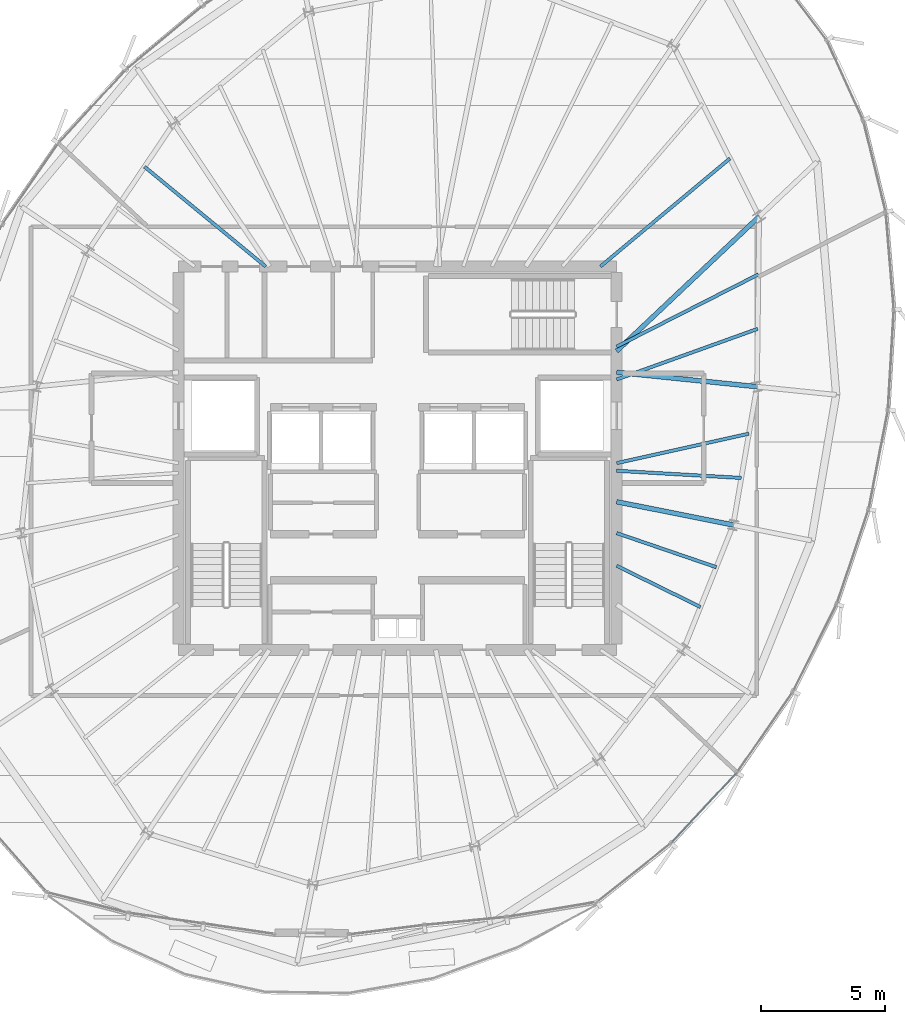
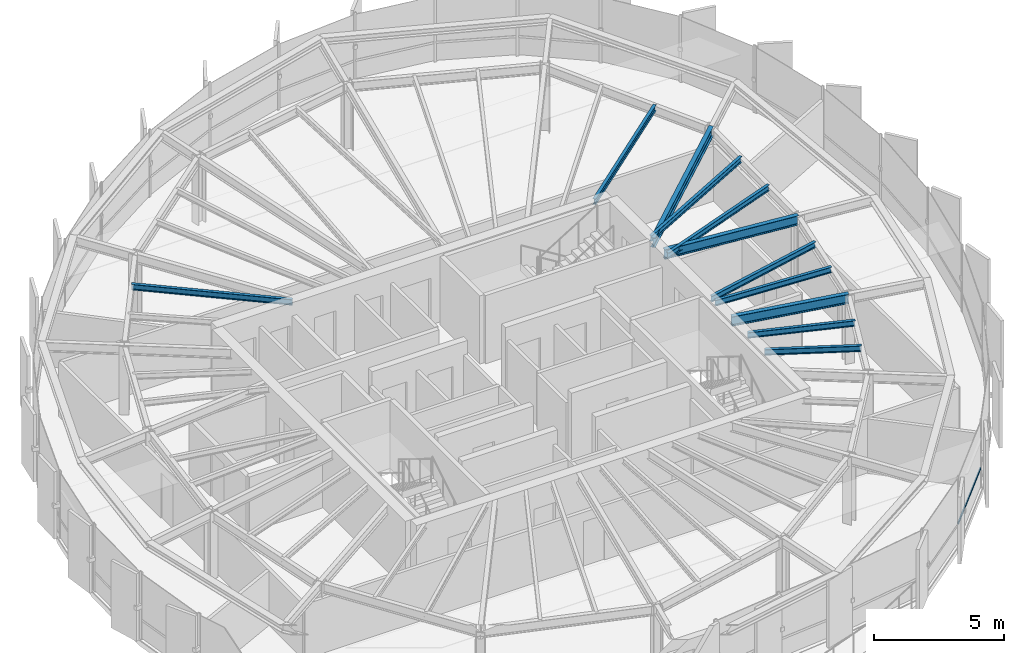
# One storey, part 13 of 32: 11 beams, 1 member, 1 element without a shape of its own.
"""IFC4 building model written with IfcOpenShell, lengths in metres."""

from ifc_helpers import new_model, si_unit, direction, frame, origin, origin_2d, place, context, subcontext, project, spatial, hollow_rectangle, i_section, extrude, source, transform, mapped, material, layer, layer_set, material_profile, profile_set, type_object, element, aggregate, save


model = new_model("IFC4")

# Units and contexts
model_context = context("Model", 3, precision=1e-05, world=origin(), true_north=direction((0.0, 1.0)))
body_context = subcontext(model_context, "Body", "Model", "MODEL_VIEW")
ifc_project = project(units=[si_unit("LENGTHUNIT", "METRE"), si_unit("AREAUNIT", "SQUARE_METRE"), si_unit("VOLUMEUNIT", "CUBIC_METRE"), si_unit("PLANEANGLEUNIT", "RADIAN"), si_unit("MASSUNIT", "GRAM", prefix="KILO"), si_unit("THERMODYNAMICTEMPERATUREUNIT", "KELVIN")], contexts=[model_context])

# Site, building, storey
site_placement = place(None, origin())
site = spatial("IfcSite", under=ifc_project, at=site_placement, CompositionType="ELEMENT")
building_placement = place(site_placement, origin())
building = spatial("IfcBuilding", under=site, at=building_placement, Name="Kethvar Cultural Tower", CompositionType="ELEMENT")
storey_placement = place(building_placement, frame((0.0, 0.0, 273.25)))
storey = spatial("IfcBuildingStorey", under=building, at=storey_placement, Name="L72", CompositionType="ELEMENT", Elevation=273.25)

# Beams
ifc_material_1 = material(Name="Steel S355J2", Category="steel")
ifc_material_profile_1 = material_profile(ifc_material_1, i_section(OverallWidth=0.18994140625, OverallDepth=0.449951171875, WebThickness=0.009521484375, FlangeThickness=0.0146484375, FilletRadius=0.02099609375, at=origin_2d()), Name="Steel S355J2 — IPE450")
ifc_profile_set_1 = profile_set([ifc_material_profile_1], Name="Steel S355J2 — IPE450")
beam_type_1 = type_object("IfcBeamType", Name="BM-IPE450", PredefinedType="BEAM", material=ifc_profile_set_1)
shared_shape_1 = source(origin(), body_context, "Body", "SweptSolid", [
    extrude(i_section(OverallWidth=0.18994140625, OverallDepth=0.449951171875, WebThickness=0.009521484375, FlangeThickness=0.0146484375, FilletRadius=0.02099609375, at=origin_2d()), origin(), (0.0, 0.0, 1.0), 5.66650390625),
])
beam_1_placement = place(storey_placement, frame((55.60009765625, 31.25, 2.98291015625), z_axis=(0.994777513459, -0.102067128476, 0.0), x_axis=(0.102067128476, 0.994777513459, 0.0)))
element("IfcBeam", 1, at=beam_1_placement, inside=storey, type_object=beam_type_1, Name="L72 Primary Radial Beam RB-01", PredefinedType="BEAM", context=body_context, shape_type="MappedRepresentation", body=[
    mapped(shared_shape_1, transform((0.0, 0.0, 0.0), scale=1.0)),
])
shared_shape_2 = source(origin(), body_context, "Body", "SweptSolid", [
    extrude(i_section(OverallWidth=0.18994140625, OverallDepth=0.449951171875, WebThickness=0.009521484375, FlangeThickness=0.0146484375, FilletRadius=0.02099609375, at=origin_2d()), origin(), (0.0, 0.0, 1.0), 7.874267578125),
])
beam_2_placement = place(storey_placement, frame((55.60009765625, 32.10009765625, 2.98291015625), z_axis=(0.727123202456, 0.686506990823, 0.0), x_axis=(-0.686506990823, 0.727123202456, 0.0)))
element("IfcBeam", 2, at=beam_2_placement, inside=storey, type_object=beam_type_1, Name="L72 Primary Radial Beam RB-02", PredefinedType="BEAM", context=body_context, shape_type="MappedRepresentation", body=[
    mapped(shared_shape_2, transform((0.0, 0.0, 0.0), scale=1.0)),
])
shared_shape_3 = source(origin(), body_context, "Body", "SweptSolid", [
    extrude(i_section(OverallWidth=0.18994140625, OverallDepth=0.449951171875, WebThickness=0.009521484375, FlangeThickness=0.0146484375, FilletRadius=0.02099609375, at=origin_2d()), origin(), (0.0, 0.0, 1.0), 4.775390625),
])
beam_3_placement = place(storey_placement, frame((55.60009765625, 26.049560546875, 2.98291015625), z_axis=(0.980784643133, -0.195093525761, 0.0), x_axis=(0.195093525761, 0.980784643133, 0.0)))
element("IfcBeam", 3, at=beam_3_placement, inside=storey, type_object=beam_type_1, Name="L72 Primary Radial Beam RB-16", PredefinedType="BEAM", context=body_context, shape_type="MappedRepresentation", body=[
    mapped(shared_shape_3, transform((0.0, 0.0, 0.0), scale=1.0)),
])
ifc_material_profile_2 = material_profile(ifc_material_1, i_section(OverallWidth=0.135009765625, OverallDepth=0.27001953125, WebThickness=0.006591796875, FlangeThickness=0.01025390625, FilletRadius=0.014892578125, at=origin_2d()), Name="Steel S355J2 — IPE270")
ifc_profile_set_2 = profile_set([ifc_material_profile_2], Name="Steel S355J2 — IPE270")
beam_type_2 = type_object("IfcBeamType", Name="BM-J270", PredefinedType="JOIST", material=ifc_profile_set_2)
shared_shape_4 = source(origin(), body_context, "Body", "SweptSolid", [
    extrude(i_section(OverallWidth=0.135009765625, OverallDepth=0.27001953125, WebThickness=0.006591796875, FlangeThickness=0.01025390625, FilletRadius=0.014892578125, at=origin_2d()), origin(), (0.0, 0.0, 1.0), 6.021240234375),
])
beam_4_placement = place(storey_placement, frame((55.60009765625, 30.960205078125, 3.072998046875), z_axis=(0.94114970072, 0.337990001086, 0.0), x_axis=(-0.337990001086, 0.94114970072, 0.0)))
element("IfcBeam", 4, at=beam_4_placement, inside=storey, type_object=beam_type_2, Name="L72 Composite Floor Joist J-01A", PredefinedType="JOIST", context=body_context, shape_type="MappedRepresentation", body=[
    mapped(shared_shape_4, transform((0.0, 0.0, 0.0), scale=1.0)),
])
shared_shape_5 = source(origin(), body_context, "Body", "SweptSolid", [
    extrude(i_section(OverallWidth=0.135009765625, OverallDepth=0.27001953125, WebThickness=0.006591796875, FlangeThickness=0.01025390625, FilletRadius=0.014892578125, at=origin_2d()), origin(), (0.0, 0.0, 1.0), 6.3916015625),
])
beam_5_placement = place(storey_placement, frame((55.60009765625, 32.281494140625, 3.072998046875), z_axis=(0.891094874615, 0.453817060538, 0.0), x_axis=(-0.453817060538, 0.891094874615, 0.0)))
element("IfcBeam", 5, at=beam_5_placement, inside=storey, type_object=beam_type_2, Name="L72 Composite Floor Joist J-01B", PredefinedType="JOIST", context=body_context, shape_type="MappedRepresentation", body=[
    mapped(shared_shape_5, transform((0.0, 0.0, 0.0), scale=1.0)),
])
shared_shape_6 = source(origin(), body_context, "Body", "SweptSolid", [
    extrude(i_section(OverallWidth=0.135009765625, OverallDepth=0.27001953125, WebThickness=0.006591796875, FlangeThickness=0.01025390625, FilletRadius=0.014892578125, at=origin_2d()), origin(), (0.0, 0.0, 1.0), 6.776123046875),
])
beam_6_placement = place(storey_placement, frame((54.949951171875, 35.5, 3.072998046875), z_axis=(0.767801747857, 0.6406875026, 0.0), x_axis=(-0.6406875026, 0.767801747857, 0.0)))
element("IfcBeam", 6, at=beam_6_placement, inside=storey, type_object=beam_type_2, Name="L72 Composite Floor Joist J-02A", PredefinedType="JOIST", context=body_context, shape_type="MappedRepresentation", body=[
    mapped(shared_shape_6, transform((0.0, 0.0, 0.0), scale=1.0)),
])
shared_shape_7 = source(origin(), body_context, "Body", "SweptSolid", [
    extrude(i_section(OverallWidth=0.135009765625, OverallDepth=0.27001953125, WebThickness=0.006591796875, FlangeThickness=0.01025390625, FilletRadius=0.014892578125, at=origin_2d()), origin(), (0.0, 0.0, 1.0), 6.302978515625),
])
beam_7_placement = place(storey_placement, frame((41.5, 35.5, 3.072998046875), z_axis=(-0.771828477148, 0.635830796567, 0.0), x_axis=(-0.635830796567, -0.771828477148, 0.0)))
element("IfcBeam", 7, at=beam_7_placement, inside=storey, type_object=beam_type_2, Name="L72 Composite Floor Joist J-06A", PredefinedType="JOIST", context=body_context, shape_type="MappedRepresentation", body=[
    mapped(shared_shape_7, transform((0.0, 0.0, 0.0), scale=1.0)),
])
shared_shape_8 = source(origin(), body_context, "Body", "SweptSolid", [
    extrude(i_section(OverallWidth=0.135009765625, OverallDepth=0.27001953125, WebThickness=0.006591796875, FlangeThickness=0.01025390625, FilletRadius=0.014892578125, at=origin_2d()), origin(), (0.0, 0.0, 1.0), 3.75),
])
beam_8_placement = place(storey_placement, frame((55.60009765625, 23.476318359375, 3.072998046875), z_axis=(0.8975046019, -0.441005090184, 0.0), x_axis=(0.441005090184, 0.8975046019, 0.0)))
element("IfcBeam", 8, at=beam_8_placement, inside=storey, type_object=beam_type_2, Name="L72 Composite Floor Joist J-15A", PredefinedType="JOIST", context=body_context, shape_type="MappedRepresentation", body=[
    mapped(shared_shape_8, transform((0.0, 0.0, 0.0), scale=1.0)),
])
shared_shape_9 = source(origin(), body_context, "Body", "SweptSolid", [
    extrude(i_section(OverallWidth=0.135009765625, OverallDepth=0.27001953125, WebThickness=0.006591796875, FlangeThickness=0.01025390625, FilletRadius=0.014892578125, at=origin_2d()), origin(), (0.0, 0.0, 1.0), 4.232421875),
])
beam_9_placement = place(storey_placement, frame((55.60009765625, 24.7900390625, 3.072998046875), z_axis=(0.946173747357, -0.323659141402, 0.0), x_axis=(0.323659141402, 0.946173747357, 0.0)))
element("IfcBeam", 9, at=beam_9_placement, inside=storey, type_object=beam_type_2, Name="L72 Composite Floor Joist J-15B", PredefinedType="JOIST", context=body_context, shape_type="MappedRepresentation", body=[
    mapped(shared_shape_9, transform((0.0, 0.0, 0.0), scale=1.0)),
])
shared_shape_10 = source(origin(), body_context, "Body", "SweptSolid", [
    extrude(i_section(OverallWidth=0.135009765625, OverallDepth=0.27001953125, WebThickness=0.006591796875, FlangeThickness=0.01025390625, FilletRadius=0.014892578125, at=origin_2d()), origin(), (0.0, 0.0, 1.0), 5.01611328125),
])
beam_10_placement = place(storey_placement, frame((55.60009765625, 27.294189453125, 3.072998046875), z_axis=(0.998352190078, -0.057383835418, 0.0), x_axis=(0.057383835418, 0.998352190078, 0.0)))
element("IfcBeam", 10, at=beam_10_placement, inside=storey, type_object=beam_type_2, Name="L72 Composite Floor Joist J-16A", PredefinedType="JOIST", context=body_context, shape_type="MappedRepresentation", body=[
    mapped(shared_shape_10, transform((0.0, 0.0, 0.0), scale=1.0)),
])
shared_shape_11 = source(origin(), body_context, "Body", "SweptSolid", [
    extrude(i_section(OverallWidth=0.135009765625, OverallDepth=0.27001953125, WebThickness=0.006591796875, FlangeThickness=0.01025390625, FilletRadius=0.014892578125, at=origin_2d()), origin(), (0.0, 0.0, 1.0), 5.44287109375),
])
beam_11_placement = place(storey_placement, frame((55.60009765625, 27.60009765625, 3.072998046875), z_axis=(0.976080346759, 0.217410111702, 0.0), x_axis=(-0.217410111702, 0.976080346759, 0.0)))
element("IfcBeam", 11, at=beam_11_placement, inside=storey, type_object=beam_type_2, Name="L72 Composite Floor Joist J-16B", PredefinedType="JOIST", context=body_context, shape_type="MappedRepresentation", body=[
    mapped(shared_shape_11, transform((0.0, 0.0, 0.0), scale=1.0)),
])

# Curtain wall, member
ifc_material_2 = material(Name="Aluminium 6063-T6", Category="aluminium")
ifc_layer = layer(ifc_material_2, 0.179931640625, Name="Aluminium 6063-T6", Category="aluminium")
ifc_layer_set = layer_set([ifc_layer], Name="Aluminium 6063-T6 (180 mm)")
curtain_wall_type = type_object("IfcCurtainWallType", Name="CW-SYS-05-Z56", PredefinedType="NOTDEFINED", material=ifc_layer_set)
curtain_wall_placement = place(storey_placement, origin())
curtain_wall = element("IfcCurtainWall", 12, at=curtain_wall_placement, inside=storey, type_object=curtain_wall_type, Name="L72 Curtain Wall Run 05", PredefinedType="NOTDEFINED")
ifc_material_profile_3 = material_profile(ifc_material_2, hollow_rectangle(XDim=0.050048828125, YDim=0.10009765625, WallThickness=0.00390625, at=origin_2d()), Name="Aluminium 6063-T6 — RHS100x50x4")
ifc_profile_set_3 = profile_set([ifc_material_profile_3], Name="Aluminium 6063-T6 — RHS100x50x4")
member_type = type_object("IfcMemberType", Name="CW-SYS-05-Z56-TRN", PredefinedType="USERDEFINED", material=ifc_profile_set_3)
shared_shape_12 = source(origin(), body_context, "Body", "SweptSolid", [
    extrude(hollow_rectangle(XDim=0.050048828125, YDim=0.10009765625, WallThickness=0.00390625, at=origin_2d()), origin(), (0.0, 0.0, 1.0), 3.8212890625),
])
member_placement = place(storey_placement, frame((57.81689453125, 12.364013671875, 0.949951171875), z_axis=(0.681915219786, 0.731431222347, 0.0), x_axis=(-0.731431222347, 0.681915219786, 0.0)))
member = element("IfcMember", 13, at=member_placement, type_object=member_type, Name="CW-L72-R05 Transom 5", ObjectType="TRANSOM", PredefinedType="USERDEFINED", context=body_context, shape_type="MappedRepresentation", body=[
    mapped(shared_shape_12, transform((0.0, 0.0, 0.0), scale=1.0)),
])
aggregate(curtain_wall, [member])

save(model, "model.ifc")
